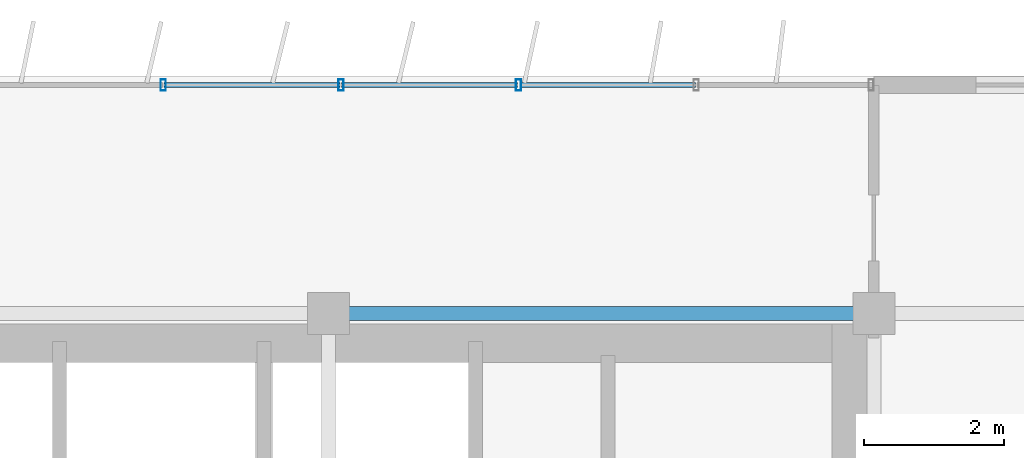
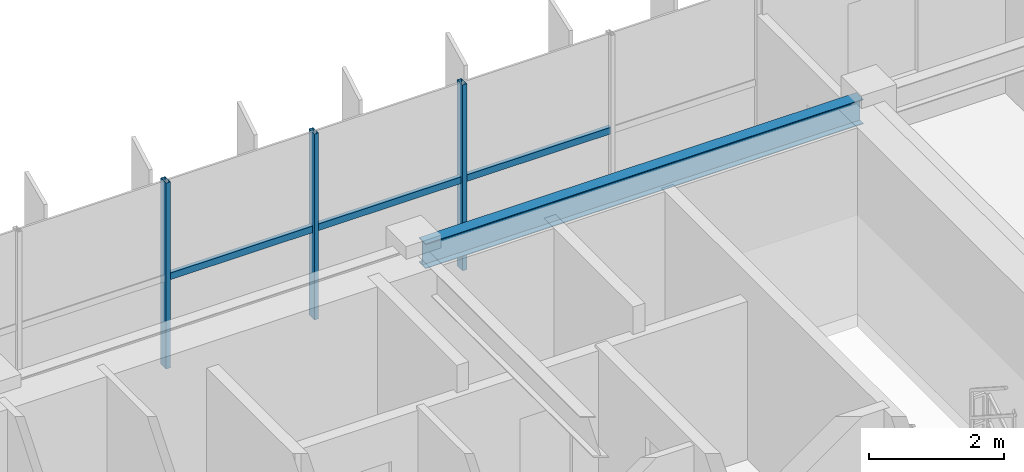
# One storey, part 12 of 22: 6 members, 1 beam, 1 element without a shape of its own.
"""IFC4 building model written with IfcOpenShell, lengths in metres."""

from ifc_helpers import new_model, si_unit, direction, frame, origin, origin_2d, place, context, subcontext, project, spatial, hollow_rectangle, i_section, extrude, source, transform, mapped, material, material_profile, profile_set, type_object, element, aggregate, save


model = new_model("IFC4")

# Units and contexts
model_context = context("Model", 3, precision=1e-05, world=origin(), true_north=direction((0.0, 1.0)))
body_context = subcontext(model_context, "Body", "Model", "MODEL_VIEW")
ifc_project = project(units=[si_unit("LENGTHUNIT", "METRE"), si_unit("AREAUNIT", "SQUARE_METRE"), si_unit("VOLUMEUNIT", "CUBIC_METRE"), si_unit("PLANEANGLEUNIT", "RADIAN"), si_unit("MASSUNIT", "GRAM", prefix="KILO")], contexts=[model_context])

# Site, building, storey
site_placement = place(None, origin())
site = spatial("IfcSite", under=ifc_project, at=site_placement, CompositionType="ELEMENT")
building_placement = place(site_placement, origin())
building = spatial("IfcBuilding", under=site, at=building_placement, Name="Trelvane Seafront Commons", CompositionType="ELEMENT")
storey_placement = place(building_placement, frame((0.0, 0.0, 284.699951171875)))
storey = spatial("IfcBuildingStorey", under=building, at=storey_placement, Name="L74", CompositionType="ELEMENT", Elevation=284.699951171875)

# Beam
ifc_material_1 = material(Name="Steel SM355 (S355)", Category="steel")
ifc_material_profile_1 = material_profile(ifc_material_1, i_section(OverallWidth=0.199951171875, OverallDepth=0.449951171875, WebThickness=0.009033203125, FlangeThickness=0.013916015625, at=origin_2d()), Name="H-450x200x9x14")
ifc_profile_set_1 = profile_set([ifc_material_profile_1], Name="Steel SM355 (S355)")
beam_type = type_object("IfcBeamType", Name="STR-SPD-H450", PredefinedType="SPANDREL", material=ifc_profile_set_1)
shared_shape_1 = source(origin(), body_context, "Body", "SweptSolid", [
    extrude(i_section(OverallWidth=0.199951171875, OverallDepth=0.449951171875, WebThickness=0.009033203125, FlangeThickness=0.013916015625, at=origin_2d()), origin(), (0.0, 0.0, 1.0), 7.5),
])
beam_placement = place(storey_placement, frame((51.14990234375, 45.10009765625, 3.14501953125), z_axis=(1.0, 0.0, 0.0), x_axis=(0.0, 1.0, 0.0)))
element("IfcBeam", 1, at=beam_placement, inside=storey, type_object=beam_type, Name="L74 Primary Girder G-27", PredefinedType="SPANDREL", context=body_context, shape_type="MappedRepresentation", body=[
    mapped(shared_shape_1, transform((0.0, 0.0, 0.0), x_axis=(1.0, 0.0, 0.0), y_axis=(0.0, 1.0, 0.0), z_axis=(0.0, 0.0, 1.0), scale=1.0)),
])

# Curtain wall, members
ifc_material_2 = material(Name="Anodised pale-silver aluminium", Category="aluminium")
curtain_wall_type = type_object("IfcCurtainWallType", Name="ARCH-CW5-UPTOWER", PredefinedType="NOTDEFINED", material=ifc_material_2)
curtain_wall_placement = place(storey_placement, origin())
curtain_wall = element("IfcCurtainWall", 2, at=curtain_wall_placement, inside=storey, type_object=curtain_wall_type, Name="CW-L74-0118", PredefinedType="NOTDEFINED")
ifc_material_profile_2 = material_profile(ifc_material_2, hollow_rectangle(XDim=0.070068359375, YDim=0.1201171875, WallThickness=0.00390625, at=origin_2d()), Name="TRAN-70x120x4")
ifc_profile_set_2 = profile_set([ifc_material_profile_2], Name="Anodised pale-silver aluminium")
member_type_1 = type_object("IfcMemberType", Name="ARCH-CW-TRAN-120", PredefinedType="USERDEFINED", material=ifc_profile_set_2)
shared_shape_2 = source(origin(), body_context, "Body", "SweptSolid", [
    extrude(hollow_rectangle(XDim=0.070068359375, YDim=0.1201171875, WallThickness=0.00390625, at=origin_2d()), origin(), (0.0, 0.0, 1.0), 2.51708984375),
])
member_1_placement = place(storey_placement, frame((51.1884765625, 48.3701171875, 1.6181640625), z_axis=(1.0, 0.0, 0.0), x_axis=(0.0, 1.0, 0.0)))
member_1 = element("IfcMember", 3, at=member_1_placement, type_object=member_type_1, Name="CW-L74-0118-T14", ObjectType="TRANSOM", PredefinedType="USERDEFINED", context=body_context, shape_type="MappedRepresentation", body=[
    mapped(shared_shape_2, transform((0.0, 0.0, 0.0), x_axis=(1.0, 0.0, 0.0), y_axis=(0.0, 1.0, 0.0), z_axis=(0.0, 0.0, 1.0), scale=1.0)),
])
shared_shape_3 = source(origin(), body_context, "Body", "SweptSolid", [
    extrude(hollow_rectangle(XDim=0.070068359375, YDim=0.1201171875, WallThickness=0.00390625, at=origin_2d()), origin(), (0.0, 0.0, 1.0), 2.517333984375),
])
member_2_placement = place(storey_placement, frame((48.647216796875, 48.3701171875, 1.6181640625), z_axis=(1.0, 0.0, 0.0), x_axis=(0.0, 1.0, 0.0)))
member_2 = element("IfcMember", 4, at=member_2_placement, type_object=member_type_1, Name="CW-L74-0118-T13", ObjectType="TRANSOM", PredefinedType="USERDEFINED", context=body_context, shape_type="MappedRepresentation", body=[
    mapped(shared_shape_3, transform((0.0, 0.0, 0.0), x_axis=(1.0, 0.0, 0.0), y_axis=(0.0, 1.0, 0.0), z_axis=(0.0, 0.0, 1.0), scale=1.0)),
])
member_3_placement = place(storey_placement, frame((53.7294921875, 48.3701171875, 1.6181640625), z_axis=(1.0, 0.0, 0.0), x_axis=(0.0, 1.0, 0.0)))
member_3 = element("IfcMember", 5, at=member_3_placement, type_object=member_type_1, Name="CW-L74-0118-T15", ObjectType="TRANSOM", PredefinedType="USERDEFINED", context=body_context, shape_type="MappedRepresentation", body=[
    mapped(shared_shape_3, transform((0.0, 0.0, 0.0), x_axis=(1.0, 0.0, 0.0), y_axis=(0.0, 1.0, 0.0), z_axis=(0.0, 0.0, 1.0), scale=1.0)),
])
ifc_material_profile_3 = material_profile(ifc_material_2, hollow_rectangle(XDim=0.074951171875, YDim=0.159912109375, WallThickness=0.00390625, at=origin_2d()), Name="MULL-75x160x4")
ifc_profile_set_3 = profile_set([ifc_material_profile_3], Name="Anodised pale-silver aluminium")
member_type_2 = type_object("IfcMemberType", Name="ARCH-CW-MULL-160", PredefinedType="MULLION", material=ifc_profile_set_3)
shared_shape_4 = source(origin(), body_context, "Body", "SweptSolid", [
    extrude(hollow_rectangle(XDim=0.074951171875, YDim=0.159912109375, WallThickness=0.00390625, at=origin_2d()), origin(), (0.0, 0.0, 1.0), 3.3701171875),
])
member_4_placement = place(storey_placement, frame((48.63525390625, 48.3701171875, 0.0), z_axis=(0.0, 0.0, 1.0), x_axis=(1.0, 0.0, 0.0)))
member_4 = element("IfcMember", 6, at=member_4_placement, type_object=member_type_2, Name="CW-L74-0118-M13", PredefinedType="MULLION", context=body_context, shape_type="MappedRepresentation", body=[
    mapped(shared_shape_4, transform((0.0, 0.0, 0.0), x_axis=(1.0, 0.0, 0.0), y_axis=(0.0, 1.0, 0.0), z_axis=(0.0, 0.0, 1.0), scale=1.0)),
])
member_5_placement = place(storey_placement, frame((51.176513671875, 48.3701171875, 0.0), z_axis=(0.0, 0.0, 1.0), x_axis=(1.0, 0.0, 0.0)))
member_5 = element("IfcMember", 7, at=member_5_placement, type_object=member_type_2, Name="CW-L74-0118-M14", PredefinedType="MULLION", context=body_context, shape_type="MappedRepresentation", body=[
    mapped(shared_shape_4, transform((0.0, 0.0, 0.0), x_axis=(1.0, 0.0, 0.0), y_axis=(0.0, 1.0, 0.0), z_axis=(0.0, 0.0, 1.0), scale=1.0)),
])
member_6_placement = place(storey_placement, frame((53.717529296875, 48.3701171875, 0.0), z_axis=(0.0, 0.0, 1.0), x_axis=(1.0, 0.0, 0.0)))
member_6 = element("IfcMember", 8, at=member_6_placement, type_object=member_type_2, Name="CW-L74-0118-M15", PredefinedType="MULLION", context=body_context, shape_type="MappedRepresentation", body=[
    mapped(shared_shape_4, transform((0.0, 0.0, 0.0), x_axis=(1.0, 0.0, 0.0), y_axis=(0.0, 1.0, 0.0), z_axis=(0.0, 0.0, 1.0), scale=1.0)),
])
aggregate(curtain_wall, [member_4, member_5, member_6, member_2, member_1, member_3])

save(model, "model.ifc")
